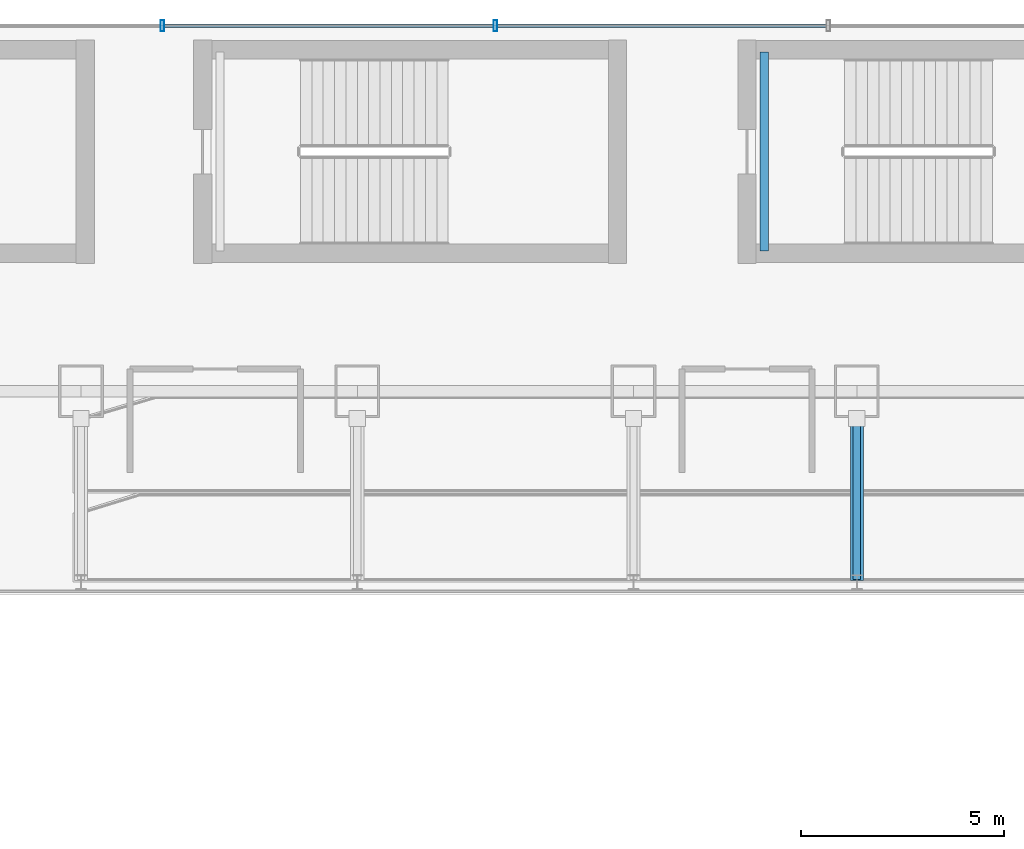
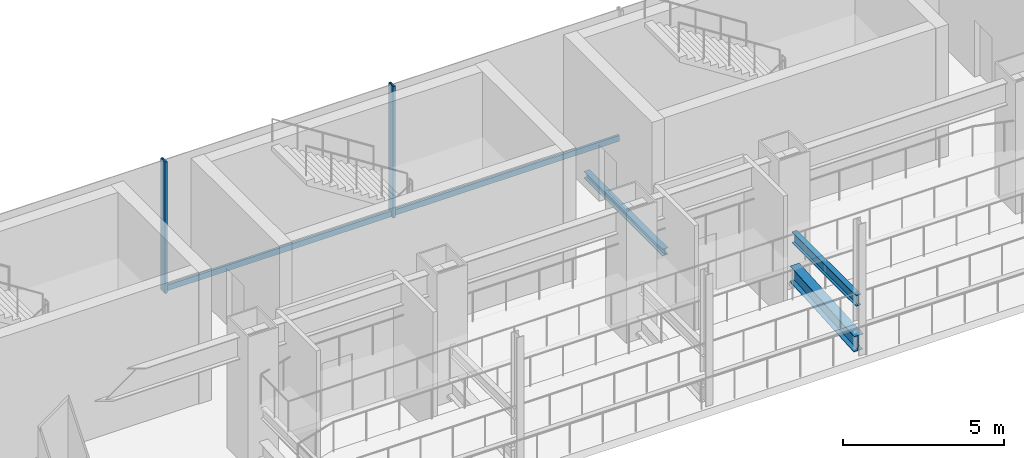
# One storey, part 15 of 39: 4 members, 3 beams, 1 element without a shape of its own.
"""IFC4 building model written with IfcOpenShell, lengths in metres."""

from ifc_helpers import new_model, si_unit, derived_unit, direction, frame, origin, origin_2d, place, context, subcontext, project, spatial, hollow_rectangle, i_section, extrude, source, transform, mapped, material, material_profile, profile_set, type_object, element, aggregate, save


model = new_model("IFC4")

# Units and contexts
model_context = context("Model", 3, precision=1e-05, world=origin(), true_north=direction((0.0, 1.0)))
body_context = subcontext(model_context, "Body", "Model", "MODEL_VIEW")
ifc_project = project(units=[si_unit("LENGTHUNIT", "METRE"), si_unit("AREAUNIT", "SQUARE_METRE"), si_unit("VOLUMEUNIT", "CUBIC_METRE"), si_unit("PLANEANGLEUNIT", "RADIAN"), si_unit("MASSUNIT", "GRAM", prefix="KILO"), derived_unit("THERMALTRANSMITTANCEUNIT", [(si_unit("POWERUNIT", "WATT"), 1), (si_unit("LENGTHUNIT", "METRE"), -2), (si_unit("THERMODYNAMICTEMPERATUREUNIT", "KELVIN"), -1)])], contexts=[model_context])

# Site, building, storey
site_placement = place(None, origin())
site = spatial("IfcSite", under=ifc_project, at=site_placement, CompositionType="ELEMENT")
building_placement = place(site_placement, origin())
building = spatial("IfcBuilding", under=site, at=building_placement, Name="Skarnbrae Concourse Arena and Tower", CompositionType="ELEMENT")
storey_placement = place(building_placement, frame((0.0, 0.0, 11.0)))
storey = spatial("IfcBuildingStorey", under=building, at=storey_placement, Name="L02", CompositionType="ELEMENT", Elevation=11.0)

# Beams
ifc_material_1 = material(Name="Steel CSA G40.21 350W", Category="steel")
ifc_material_profile_1 = material_profile(ifc_material_1, i_section(OverallWidth=0.180908203125, OverallDepth=0.4169921875, WebThickness=0.010986328125, FlangeThickness=0.018310546875, at=origin_2d()), Name="W410X85")
ifc_profile_set_1 = profile_set([ifc_material_profile_1], Name="Steel CSA G40.21 350W")
beam_type_1 = type_object("IfcBeamType", Name="BM-JOIST-W410X85", PredefinedType="JOIST", material=ifc_profile_set_1)
shared_shape_1 = source(origin(), body_context, "Body", "SweptSolid", [
    extrude(i_section(OverallWidth=0.180908203125, OverallDepth=0.4169921875, WebThickness=0.010986328125, FlangeThickness=0.018310546875, at=origin_2d()), origin(), (0.0, 0.0, 1.0), 4.0),
])
beam_1_placement = place(storey_placement, frame((33.5, 42.360107421875, 1.94140625), z_axis=(0.0, 1.0, 0.0), x_axis=(-1.0, 0.0, 0.0)))
element("IfcBeam", 1, at=beam_1_placement, inside=storey, type_object=beam_type_1, Name="L02 Arena upper seating tier cradle beam N04", PredefinedType="JOIST", context=body_context, shape_type="MappedRepresentation", body=[
    mapped(shared_shape_1, transform((0.0, 0.0, 0.0))),
])
ifc_material_profile_2 = material_profile(ifc_material_1, i_section(OverallWidth=0.323974609375, OverallDepth=0.611083984375, WebThickness=0.0126953125, FlangeThickness=0.01904296875, at=origin_2d()), Name="W610X155")
ifc_profile_set_2 = profile_set([ifc_material_profile_2], Name="Steel CSA G40.21 350W")
beam_type_2 = type_object("IfcBeamType", Name="BM-RAKER-W610X155", PredefinedType="USERDEFINED", material=ifc_profile_set_2)
shared_shape_2 = source(origin(), body_context, "Body", "SweptSolid", [
    extrude(i_section(OverallWidth=0.323974609375, OverallDepth=0.611083984375, WebThickness=0.0126953125, FlangeThickness=0.01904296875, at=origin_2d()), origin(), (0.0, 0.0, 1.0), 4.008544921875),
])
beam_2_placement = place(storey_placement, frame((33.5, 42.360107421875, 0.320068359375), z_axis=(0.0, 0.997894012809, 0.064865547097), x_axis=(-1.0, 0.0, 0.0)))
element("IfcBeam", 2, at=beam_2_placement, inside=storey, type_object=beam_type_2, Name="L02 Arena bowl sloped raker beam RB-N04", ObjectType="RAKER", PredefinedType="USERDEFINED", context=body_context, shape_type="MappedRepresentation", body=[
    mapped(shared_shape_2, transform((0.0, 0.0, 0.0))),
])

# Curtain wall, members
ifc_material_2 = material(Name="Bronze anodised aluminium 6063-T6", Category="aluminium")
curtain_wall_type = type_object("IfcCurtainWallType", Name="CW-SYS-01-PODIUM", PredefinedType="USERDEFINED", material=ifc_material_2)
curtain_wall_placement = place(storey_placement, origin())
curtain_wall = element("IfcCurtainWall", 3, at=curtain_wall_placement, inside=storey, type_object=curtain_wall_type, Name="L02 Unitised curtain wall CW-L02-N", ObjectType="UNITISED CURTAIN WALL", PredefinedType="USERDEFINED")
ifc_material_profile_3 = material_profile(ifc_material_2, hollow_rectangle(XDim=0.0849609375, YDim=0.280029296875, WallThickness=0.006103515625, at=origin_2d()), Name="ALU-MULL-85X280")
ifc_profile_set_3 = profile_set([ifc_material_profile_3], Name="Bronze anodised aluminium 6063-T6")
member_type_1 = type_object("IfcMemberType", Name="CWM-CW-01", PredefinedType="MULLION", material=ifc_profile_set_3)
shared_shape_3 = source(origin(), body_context, "Body", "SweptSolid", [
    extrude(hollow_rectangle(XDim=0.0849609375, YDim=0.280029296875, WallThickness=0.006103515625, at=origin_2d()), origin(), (0.0, 0.0, 1.0), 5.0),
])
member_1_placement = place(storey_placement, frame((24.60009765625, 56.0, 0.0), z_axis=(0.0, 0.0, 1.0), x_axis=(-1.0, 0.0, 0.0)))
member_1 = element("IfcMember", 4, at=member_1_placement, type_object=member_type_1, Name="CW-L02-N Mullion 8", PredefinedType="MULLION", context=body_context, shape_type="MappedRepresentation", body=[
    mapped(shared_shape_3, transform((0.0, 0.0, 0.0))),
])
member_2_placement = place(storey_placement, frame((16.39990234375, 56.0, 0.0), z_axis=(0.0, 0.0, 1.0), x_axis=(-1.0, 0.0, 0.0)))
member_2 = element("IfcMember", 5, at=member_2_placement, type_object=member_type_1, Name="CW-L02-N Mullion 9", PredefinedType="MULLION", context=body_context, shape_type="MappedRepresentation", body=[
    mapped(shared_shape_3, transform((0.0, 0.0, 0.0))),
])
ifc_material_profile_4 = material_profile(ifc_material_2, hollow_rectangle(XDim=0.0849609375, YDim=0.219970703125, WallThickness=0.006103515625, at=origin_2d()), Name="ALU-TRAN-85X220")
ifc_profile_set_4 = profile_set([ifc_material_profile_4], Name="Bronze anodised aluminium 6063-T6")
member_type_2 = type_object("IfcMemberType", Name="CWT-CW-01", PredefinedType="USERDEFINED", material=ifc_profile_set_4)
shared_shape_4 = source(origin(), body_context, "Body", "SweptSolid", [
    extrude(hollow_rectangle(XDim=0.0849609375, YDim=0.219970703125, WallThickness=0.006103515625, at=origin_2d()), origin(), (0.0, 0.0, 1.0), 8.114990234375),
])
member_3_placement = place(storey_placement, frame((32.757568359375, 56.0, 0.110107421875), z_axis=(-1.0, 0.0, 0.0), x_axis=(0.0, -1.0, 0.0)))
member_3 = element("IfcMember", 6, at=member_3_placement, type_object=member_type_2, Name="CW-L02-N Transom 7", ObjectType="TRANSOM", PredefinedType="USERDEFINED", context=body_context, shape_type="MappedRepresentation", body=[
    mapped(shared_shape_4, transform((0.0, 0.0, 0.0))),
])
shared_shape_5 = source(origin(), body_context, "Body", "SweptSolid", [
    extrude(hollow_rectangle(XDim=0.0849609375, YDim=0.219970703125, WallThickness=0.006103515625, at=origin_2d()), origin(), (0.0, 0.0, 1.0), 8.115234375),
])
member_4_placement = place(storey_placement, frame((24.5576171875, 56.0, 0.110107421875), z_axis=(-1.0, 0.0, 0.0), x_axis=(0.0, -1.0, 0.0)))
member_4 = element("IfcMember", 7, at=member_4_placement, type_object=member_type_2, Name="CW-L02-N Transom 8", ObjectType="TRANSOM", PredefinedType="USERDEFINED", context=body_context, shape_type="MappedRepresentation", body=[
    mapped(shared_shape_5, transform((0.0, 0.0, 0.0))),
])
aggregate(curtain_wall, [member_1, member_2, member_3, member_4])

# Beam
ifc_material_profile_5 = material_profile(ifc_material_1, i_section(OverallWidth=0.202880859375, OverallDepth=0.251953125, WebThickness=0.008056640625, FlangeThickness=0.013427734375, at=origin_2d()), Name="W250X58")
ifc_profile_set_5 = profile_set([ifc_material_profile_5], Name="Steel CSA G40.21 350W")
beam_type_3 = type_object("IfcBeamType", Name="BM-LINTEL-W250X58", PredefinedType="LINTEL", material=ifc_profile_set_5)
shared_shape_6 = source(origin(), body_context, "Body", "SweptSolid", [
    extrude(i_section(OverallWidth=0.202880859375, OverallDepth=0.251953125, WebThickness=0.008056640625, FlangeThickness=0.013427734375, at=origin_2d()), origin(), (0.0, 0.0, 1.0), 4.900146484375),
])
beam_3_placement = place(storey_placement, frame((31.219970703125, 50.449951171875, -0.325927734375), z_axis=(0.0, 1.0, 0.0), x_axis=(-1.0, 0.0, 0.0)))
element("IfcBeam", 8, at=beam_3_placement, inside=storey, type_object=beam_type_3, Name="L02 Stair ST-A7 near landing soffit beam", PredefinedType="LINTEL", context=body_context, shape_type="MappedRepresentation", body=[
    mapped(shared_shape_6, transform((0.0, 0.0, 0.0))),
])

save(model, "model.ifc")
